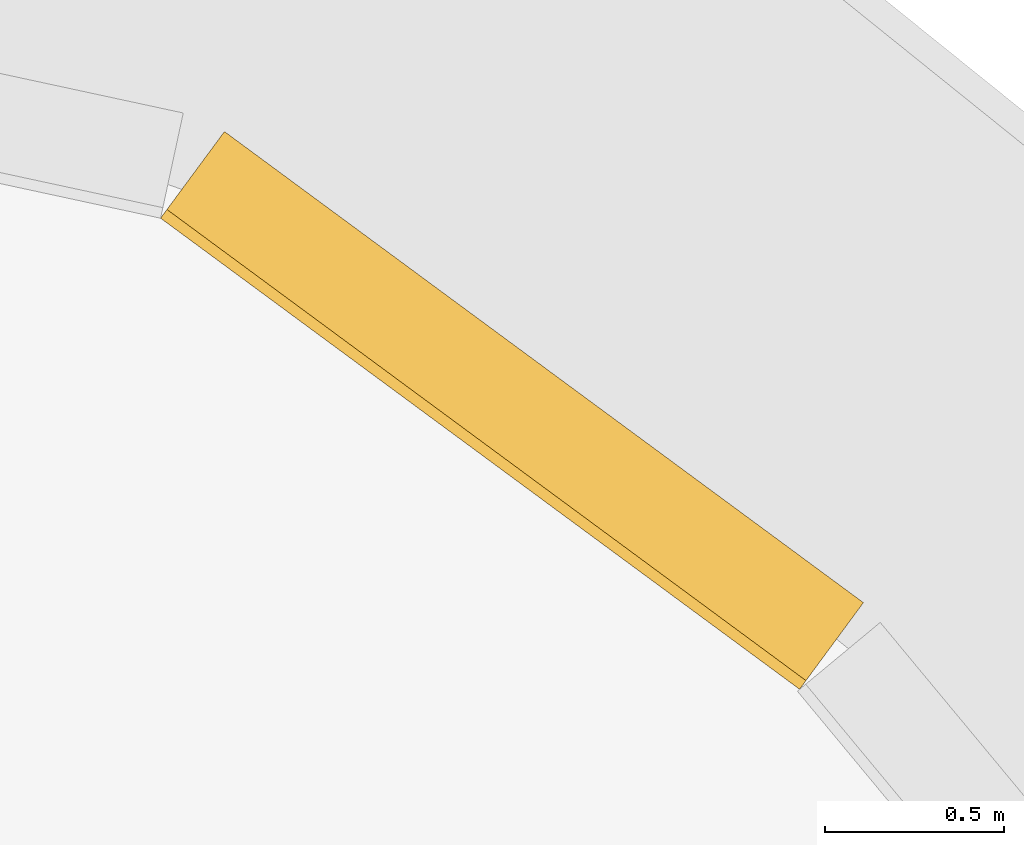
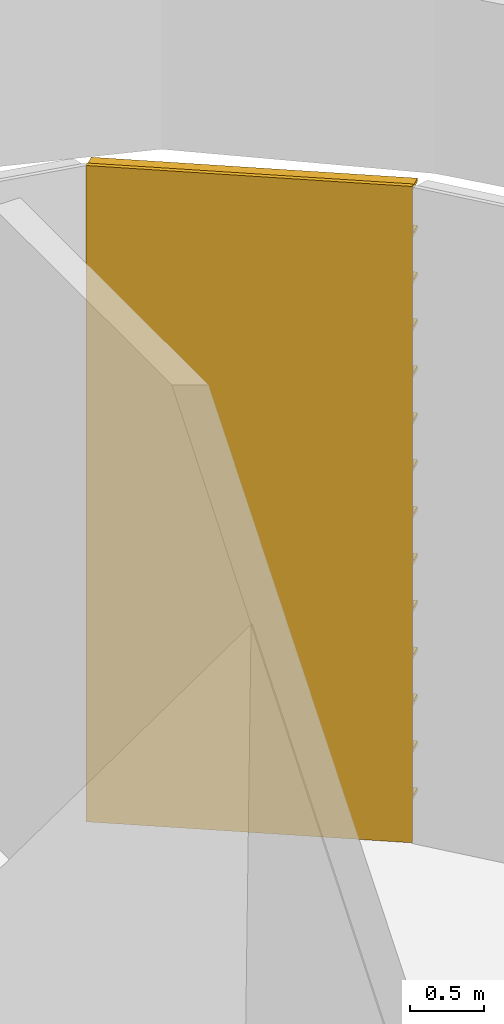
# One storey, part 18 of 18: 1 shading device.
"""IFC4 building model written with IfcOpenShell, lengths in metres."""

import ifcopenshell
import ifcopenshell.guid

model = None  # the IFC model being written
_history = None  # IfcOwnerHistory: only IFC2X3 demands one
_inside = {}  # id of a spatial element -> (the spatial element, [elements in it])
_under = {}  # id of a project, library or spatial element -> (it, [spatial elements below it])
_declared = {}  # id of a project -> (the project, [libraries it declares])
_typed = {}  # id of a type object -> (the type object, [elements of that type])
_made_of = {}  # id of a material, layer set ... -> (it, [elements and type objects made of it])


def new_model(schema):
    """Start an empty IFC model of exactly this schema.

    Asked for "IFC4X3", IfcOpenShell would pick the latest addendum, in which some entities
    have other attributes; the version numbers below select the first issue.
    IFC2X3 requires an IfcOwnerHistory on every rooted entity: one is made here for all.
    """
    global model, _history
    if schema == "IFC4X3":
        model = ifcopenshell.file(schema_version=(4, 3, 0, 0))
    else:
        model = ifcopenshell.file(schema=schema)
    _inside.clear()
    _under.clear()
    _declared.clear()
    _typed.clear()
    _made_of.clear()
    _history = None
    if model.schema == "IFC2X3":
        org = make("IfcOrganization", Name="unknown")
        user = make(
            "IfcPersonAndOrganization",
            ThePerson=make("IfcPerson", FamilyName="unknown"),
            TheOrganization=org,
        )
        app = make(
            "IfcApplication",
            ApplicationDeveloper=org,
            Version="unknown",
            ApplicationFullName="unknown",
            ApplicationIdentifier="unknown",
        )
        _history = make(
            "IfcOwnerHistory",
            OwningUser=user,
            OwningApplication=app,
            ChangeAction="ADDED",
            CreationDate=0,
        )
    return model


def make(cls, **values):
    """One entity of the class cls with the attributes given. An attribute that is None is left unset."""
    return model.create_entity(
        cls, **{name: value for name, value in values.items() if value is not None}
    )


def rooted(cls, **values):
    """An entity with a GlobalId (a new one), such as an element, a storey or a relation."""
    return make(cls, GlobalId=ifcopenshell.guid.new(), OwnerHistory=_history, **values)


def si_unit(unit_type, name, prefix=None):
    """IfcSIUnit, for example si_unit("LENGTHUNIT", "METRE", prefix="MILLI")."""
    return make("IfcSIUnit", UnitType=unit_type, Prefix=prefix, Name=name)


def assignment(units):
    """IfcUnitAssignment: the units of a project."""
    return None if units is None else make("IfcUnitAssignment", Units=units)


def point(xyz):
    """IfcCartesianPoint."""
    return None if xyz is None else make("IfcCartesianPoint", Coordinates=xyz)


def direction(xyz):
    """IfcDirection."""
    return None if xyz is None else make("IfcDirection", DirectionRatios=xyz)


def frame(location, z_axis=None, x_axis=None):
    """IfcAxis2Placement3D, a coordinate frame: its origin and axes. An axis left out is left unset."""
    return make(
        "IfcAxis2Placement3D",
        Location=point(location),
        Axis=direction(z_axis),
        RefDirection=direction(x_axis),
    )


def origin():
    """The frame at (0, 0, 0) with its axes left unset."""
    return frame((0.0, 0.0, 0.0))


def place(relative_to, where):
    """IfcLocalPlacement: puts the frame where relative to a parent placement (None: the world)."""
    return make(
        "IfcLocalPlacement", PlacementRelTo=relative_to, RelativePlacement=where
    )


def context(
    kind, dimensions, precision=None, world=None, true_north=None, identifier=None
):
    """IfcGeometricRepresentationContext, for example the 3D "Model" context."""
    return make(
        "IfcGeometricRepresentationContext",
        ContextIdentifier=identifier,
        ContextType=kind,
        CoordinateSpaceDimension=dimensions,
        Precision=precision,
        WorldCoordinateSystem=world,
        TrueNorth=true_north,
    )


def subcontext(parent, identifier, kind, view, scale=None):
    """IfcGeometricRepresentationSubContext, for example "Body" below "Model"."""
    return make(
        "IfcGeometricRepresentationSubContext",
        ContextIdentifier=identifier,
        ContextType=kind,
        ParentContext=parent,
        TargetScale=scale,
        TargetView=view,
    )


def project(units=None, contexts=None):
    """IfcProject with its units and contexts."""
    return rooted(
        "IfcProject",
        Name="project",
        RepresentationContexts=contexts,
        UnitsInContext=assignment(units),
    )


def spatial(cls, under=None, at=None, **own):
    """A site, building, storey or space (cls), placed at a placement, below another one or the project."""
    s = rooted(cls, ObjectPlacement=at, **own)
    if under is not None:
        _under.setdefault(under.id(), (under, []))[1].append(s)
    return s


def polyline(points):
    """IfcPolyline through the points."""
    return make("IfcPolyline", Points=[point(p) for p in points])


def outline(outer, holes=None, kind="AREA"):
    """IfcArbitraryClosedProfileDef: a profile drawn as a closed curve; with holes, ...WithVoids."""
    if holes is None:
        return make("IfcArbitraryClosedProfileDef", ProfileType=kind, OuterCurve=outer)
    return make(
        "IfcArbitraryProfileDefWithVoids",
        ProfileType=kind,
        OuterCurve=outer,
        InnerCurves=holes,
    )


def extrude(swept, where, along, depth):
    """IfcExtrudedAreaSolid: the profile swept, set in the frame where, extruded along a direction by depth."""
    return make(
        "IfcExtrudedAreaSolid",
        SweptArea=swept,
        Position=where,
        ExtrudedDirection=direction(along),
        Depth=depth,
    )


def shape(context_of_items, identifier, shape_type, items):
    """IfcShapeRepresentation: the items that make up one representation, for example the "Body"."""
    return make(
        "IfcShapeRepresentation",
        ContextOfItems=context_of_items,
        RepresentationIdentifier=identifier,
        RepresentationType=shape_type,
        Items=items,
    )


def material(Name=None, Category=None):
    """IfcMaterial."""
    return make("IfcMaterial", Name=Name, Category=Category)


def made_of(thing, what):
    """Note that an element or type object is made of a material, layer set ...; save() writes the relation."""
    if what is not None:
        _made_of.setdefault(what.id(), (what, []))[1].append(thing)
    return thing


def type_object(cls, material=None, **own):
    """A type object (cls), such as IfcWallType, which elements share."""
    return made_of(rooted(cls, **own), material)


def element(
    cls,
    number,
    at=None,
    inside=None,
    cuts=None,
    type_object=None,
    material=None,
    context=None,
    identifier="Body",
    shape_type=None,
    held_by="IfcProductDefinitionShape",
    body=None,
    shapes=None,
    **own,
):
    """One element of the class cls, such as IfcWall. Its Tag is "e" and its number.

    at: its placement. inside: the storey or other place that contains it. cuts: it is an
    opening in that element (IfcRelVoidsElement). A single representation is given by context,
    identifier, shape_type and body (its items); several are given by shapes. held_by: the class
    of the entity that holds the representations. save() writes the other relations.
    """
    e = rooted(cls, Tag="e%d" % number, ObjectPlacement=at, **own)
    if body is not None:
        shapes = [shape(context, identifier, shape_type, body)]
    if shapes is not None:
        e.Representation = make(held_by, Representations=shapes)
    if inside is not None:
        _inside.setdefault(inside.id(), (inside, []))[1].append(e)
    if cuts is not None:
        rooted(
            "IfcRelVoidsElement", RelatingBuildingElement=cuts, RelatedOpeningElement=e
        )
    if type_object is not None:
        _typed.setdefault(type_object.id(), (type_object, []))[1].append(e)
    return made_of(e, material)


def aggregate(whole, parts):
    """IfcRelAggregates: a whole, such as a stair, and the parts it consists of."""
    return rooted("IfcRelAggregates", RelatingObject=whole, RelatedObjects=parts)


def save(model, path):
    """Write the relations noted so far, then the file.

    IfcRelAggregates (storeys below a building ...), IfcRelContainedInSpatialStructure (elements
    in a storey), IfcRelDefinesByType, IfcRelAssociatesMaterial and IfcRelDeclares: one each for
    every whole, place, type object, material and project.
    """
    for whole, parts in _under.values():
        aggregate(whole, parts)
    for where, things in _inside.values():
        rooted(
            "IfcRelContainedInSpatialStructure",
            RelatedElements=things,
            RelatingStructure=where,
        )
    for kind, things in _typed.values():
        rooted("IfcRelDefinesByType", RelatedObjects=things, RelatingType=kind)
    for what, things in _made_of.values():
        rooted("IfcRelAssociatesMaterial", RelatedObjects=things, RelatingMaterial=what)
    for by, libraries in _declared.values():
        rooted("IfcRelDeclares", RelatingContext=by, RelatedDefinitions=libraries)
    model.write(path)


model = new_model("IFC4")

# Units and contexts
model_context = context("Model", 3, precision=1e-05, world=origin(), true_north=direction((0.0, 1.0)))
body_context = subcontext(model_context, "Body", "Model", "MODEL_VIEW")
ifc_project = project(units=[si_unit("LENGTHUNIT", "METRE"), si_unit("AREAUNIT", "SQUARE_METRE"), si_unit("VOLUMEUNIT", "CUBIC_METRE"), si_unit("PLANEANGLEUNIT", "RADIAN"), si_unit("MASSUNIT", "GRAM", prefix="KILO")], contexts=[model_context])

# Site, building, storey
site_placement = place(None, origin())
site = spatial("IfcSite", under=ifc_project, at=site_placement, CompositionType="ELEMENT")
building_placement = place(site_placement, origin())
building = spatial("IfcBuilding", under=site, at=building_placement, Name="Sierra Prisma Convention Tower", CompositionType="ELEMENT")
storey_placement = place(building_placement, frame((0.0, 0.0, 112.60009765625)))
storey = spatial("IfcBuildingStorey", under=building, at=storey_placement, Name="L24", CompositionType="ELEMENT", Elevation=112.60009765625)

# Shading device
ifc_material = material(Name="Aluminium 6063-T6 bronze anodised", Category="aluminium")
shading_device_type = type_object("IfcShadingDeviceType", Name="Louvre bay bronze", PredefinedType="USERDEFINED", material=ifc_material)
shading_device_placement = place(storey_placement, frame((3.9443359375, 32.724609375, 0.0), z_axis=(0.804898134724, -0.593413003496, 0.0), x_axis=(0.0, 0.0, 1.0)))
element("IfcShadingDevice", 1, at=shading_device_placement, inside=storey, type_object=shading_device_type, Name="Louvre L24 N1.1", ObjectType="LOUVRE", PredefinedType="USERDEFINED", context=body_context, shape_type="SweptSolid", body=[
    extrude(outline(polyline([(0.0, 0.0), (5.39990234375, 0.0), (5.39990234375, -0.03003028920724229), (5.3798828125, -0.03003028920724229), (5.260009765625, -0.29996150751719347), (5.22998046875, -0.29996150751719347), (5.349853515625, -0.03003028920724229), (5.01416015625, -0.03003028920724229), (4.994140625, -0.03003028920724229), (4.874267578125, -0.29996150751719347), (4.84423828125, -0.29996150751719347), (4.964111328125, -0.03003028920724229), (4.62841796875, -0.03003028920724229), (4.6083984375, -0.03003028920724229), (4.488525390625, -0.29996150751719347), (4.45849609375, -0.29996150751719347), (4.578369140625, -0.03003028920724229), (4.24267578125, -0.03003028920724229), (4.22265625, -0.03003028920724229), (4.102783203125, -0.29996150751719347), (4.07275390625, -0.29996150751719347), (4.19287109375, -0.03003028920724229), (3.85693359375, -0.03003028920724229), (3.837158203125, -0.03003028920724229), (3.717041015625, -0.29996150751719347), (3.68701171875, -0.29996150751719347), (3.80712890625, -0.03003028920724229), (3.471435546875, -0.03003028920724229), (3.451416015625, -0.03003028920724229), (3.331298828125, -0.29996150751719347), (3.30126953125, -0.29996150751719347), (3.42138671875, -0.03003028920724229), (3.085693359375, -0.03003028920724229), (3.065673828125, -0.03003028920724229), (2.945556640625, -0.29996150751719347), (2.91552734375, -0.29996150751719347), (3.03564453125, -0.03003028920724229), (2.699951171875, -0.03003028920724229), (2.679931640625, -0.03003028920724229), (2.559814453125, -0.29996150751719347), (2.52978515625, -0.29996150751719347), (2.64990234375, -0.03003028920724229), (2.314208984375, -0.03003028920724229), (2.294189453125, -0.03003028920724229), (2.174072265625, -0.29996150751719347), (2.144287109375, -0.29996150751719347), (2.26416015625, -0.03003028920724229), (1.928466796875, -0.03003028920724229), (1.908447265625, -0.03003028920724229), (1.78857421875, -0.29996150751719347), (1.758544921875, -0.29996150751719347), (1.87841796875, -0.03003028920724229), (1.542724609375, -0.03003028920724229), (1.522705078125, -0.03003028920724229), (1.40283203125, -0.29996150751719347), (1.372802734375, -0.29996150751719347), (1.49267578125, -0.03003028920724229), (1.156982421875, -0.03003028920724229), (1.136962890625, -0.03003028920724229), (1.01708984375, -0.29996150751719347), (0.987060546875, -0.29996150751719347), (1.10693359375, -0.03003028920724229), (0.771240234375, -0.03003028920724229), (0.751220703125, -0.03003028920724229), (0.63134765625, -0.29996150751719347), (0.601318359375, -0.29996150751719347), (0.721435546875, -0.03003028920724229), (0.385498046875, -0.03003028920724229), (0.36572265625, -0.03003028920724229), (0.24560546875, -0.29996150751719347), (0.215576171875, -0.29996150751719347), (0.335693359375, -0.03003028920724229), (0.0, -0.03003028920724229), (0.0, 0.0)])), origin(), (0.0, 0.0, -1.0), 2.212646484375),
])

save(model, "model.ifc")
